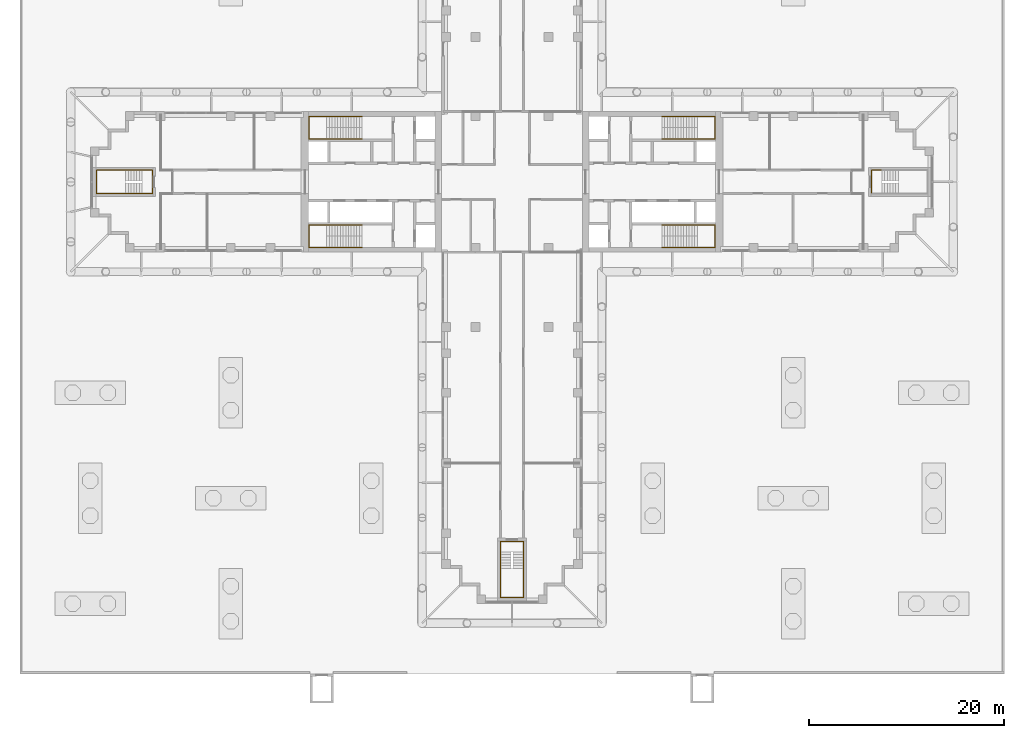
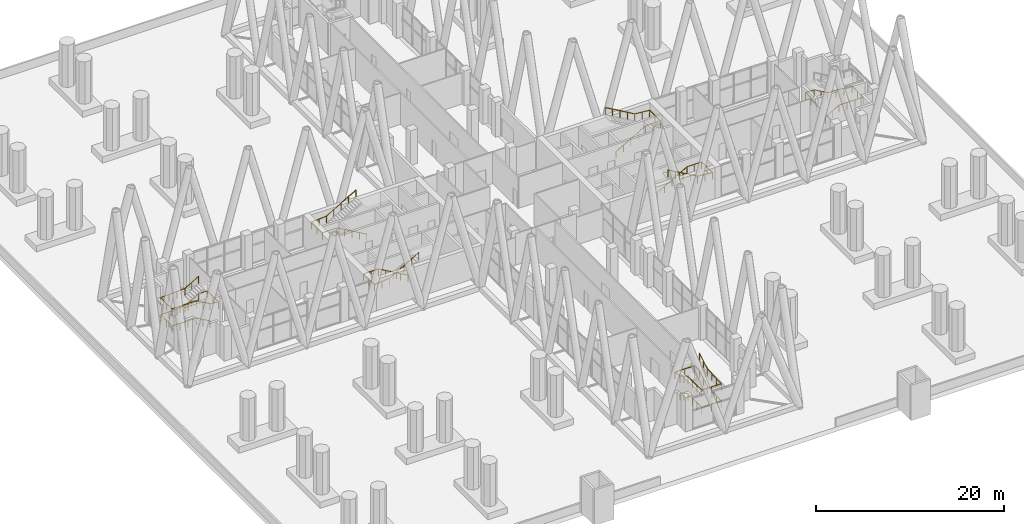
# One storey, part 28 of 31: 9 railings.
"""IFC4 building model written with IfcOpenShell, lengths in metres."""

from ifc_helpers import new_model, si_unit, direction, frame, origin, origin_2d, place, context, subcontext, project, spatial, circle, extrude, material, type_object, element, save


model = new_model("IFC4")

# Units and contexts
model_context = context("Model", 3, precision=1e-05, world=origin(), true_north=direction((0.0, 1.0)))
body_context = subcontext(model_context, "Body", "Model", "MODEL_VIEW")
ifc_project = project(units=[si_unit("LENGTHUNIT", "METRE"), si_unit("AREAUNIT", "SQUARE_METRE"), si_unit("VOLUMEUNIT", "CUBIC_METRE"), si_unit("PLANEANGLEUNIT", "RADIAN"), si_unit("MASSUNIT", "GRAM", prefix="KILO")], contexts=[model_context])

# Site, building, storey
site_placement = place(None, origin())
site = spatial("IfcSite", under=ifc_project, at=site_placement, CompositionType="ELEMENT")
building_placement = place(site_placement, origin())
building = spatial("IfcBuilding", under=site, at=building_placement, Name="Fustian Cross Tower", CompositionType="ELEMENT")
storey_placement = place(building_placement, frame((0.0, 0.0, 7.199951171875)))
storey = spatial("IfcBuildingStorey", under=building, at=storey_placement, Name="L01", CompositionType="ELEMENT", Elevation=7.199951171875)

# Railings
ifc_material = material(Name="Stainless steel", Category="steel")
railing_type = type_object("IfcRailingType", Name="STAIR HANDRAIL", PredefinedType="HANDRAIL", material=ifc_material)
railing_1_placement = place(storey_placement, frame((15.35009765625, 4.39990234375, 0.16064453125)))
element("IfcRailing", 1, at=railing_1_placement, inside=storey, type_object=railing_type, Name="Stair ST1 handrail 1", PredefinedType="HANDRAIL", context=body_context, shape_type="SweptSolid", body=[
    extrude(circle(Radius=0.02490234375, at=origin_2d()), frame((0.0, 0.0, 0.875), z_axis=(0.8672749571, 0.0, 0.497829437445), x_axis=(0.0, 1.0, 0.0)), (0.0, 0.0, 1.0), 4.197021484375),
    extrude(circle(Radius=0.02490234375, at=origin_2d()), frame((3.639892578125, 0.0, 2.96435546875), z_axis=(1.0, 0.0, 0.0), x_axis=(0.0, 1.0, 0.0)), (0.0, 0.0, 1.0), 1.820068359375),
    extrude(circle(Radius=0.02490234375, at=origin_2d()), frame((5.4599609375, 0.0, 2.96435546875), z_axis=(0.0, 1.0, 0.0), x_axis=(-1.0, 0.0, 0.0)), (0.0, 0.0, 1.0), 2.300048828125),
    extrude(circle(Radius=0.02490234375, at=origin_2d()), frame((5.4599609375, 2.300048828125, 2.96435546875), z_axis=(-0.996127441074, 0.0, 0.087921107475), x_axis=(0.0, -1.0, 0.0)), (0.0, 0.0, 1.0), 1.8271484375),
    extrude(circle(Radius=0.02490234375, at=origin_2d()), frame((3.639892578125, 2.300048828125, 3.125), z_axis=(-0.8672749571, 0.0, 0.497829437445), x_axis=(0.0, -1.0, 0.0)), (0.0, 0.0, 1.0), 4.197021484375),
    extrude(circle(Radius=0.02001953125, at=origin_2d()), origin(), (0.0, 0.0, 1.0), 0.849853515625),
    extrude(circle(Radius=0.02001953125, at=origin_2d()), frame((0.909912109375, 0.0, 0.5224609375)), (0.0, 0.0, 1.0), 0.849853515625),
    extrude(circle(Radius=0.02001953125, at=origin_2d()), frame((1.81982421875, 0.0, 1.044677734375)), (0.0, 0.0, 1.0), 0.849853515625),
    extrude(circle(Radius=0.02001953125, at=origin_2d()), frame((2.72998046875, 0.0, 1.56689453125)), (0.0, 0.0, 1.0), 0.849853515625),
    extrude(circle(Radius=0.02001953125, at=origin_2d()), frame((3.639892578125, 0.0, 2.08935546875)), (0.0, 0.0, 1.0), 0.849853515625),
    extrude(circle(Radius=0.02001953125, at=origin_2d()), frame((4.5498046875, 0.0, 2.08935546875)), (0.0, 0.0, 1.0), 0.849853515625),
    extrude(circle(Radius=0.02001953125, at=origin_2d()), frame((5.4599609375, 0.0, 2.08935546875)), (0.0, 0.0, 1.0), 0.849853515625),
    extrude(circle(Radius=0.02001953125, at=origin_2d()), frame((5.4599609375, 1.14990234375, 2.08935546875)), (0.0, 0.0, 1.0), 0.849853515625),
    extrude(circle(Radius=0.02001953125, at=origin_2d()), frame((5.4599609375, 2.300048828125, 2.08935546875)), (0.0, 0.0, 1.0), 0.849853515625),
    extrude(circle(Radius=0.02001953125, at=origin_2d()), frame((4.5498046875, 2.300048828125, 2.169677734375)), (0.0, 0.0, 1.0), 0.849853515625),
    extrude(circle(Radius=0.02001953125, at=origin_2d()), frame((3.639892578125, 2.300048828125, 2.25)), (0.0, 0.0, 1.0), 0.849853515625),
    extrude(circle(Radius=0.02001953125, at=origin_2d()), frame((2.72998046875, 2.300048828125, 2.7724609375)), (0.0, 0.0, 1.0), 0.849853515625),
    extrude(circle(Radius=0.02001953125, at=origin_2d()), frame((1.81982421875, 2.300048828125, 3.294677734375)), (0.0, 0.0, 1.0), 0.849853515625),
    extrude(circle(Radius=0.02001953125, at=origin_2d()), frame((0.909912109375, 2.300048828125, 3.81689453125)), (0.0, 0.0, 1.0), 0.849853515625),
    extrude(circle(Radius=0.02001953125, at=origin_2d()), frame((0.0, 2.300048828125, 4.33935546875)), (0.0, 0.0, 1.0), 0.849853515625),
])
railing_2_placement = place(storey_placement, frame((15.35009765625, -4.39990234375, 0.16064453125)))
element("IfcRailing", 2, at=railing_2_placement, inside=storey, type_object=railing_type, Name="Stair ST2 handrail 1", PredefinedType="HANDRAIL", context=body_context, shape_type="SweptSolid", body=[
    extrude(circle(Radius=0.02490234375, at=origin_2d()), frame((0.0, 0.0, 0.875), z_axis=(0.8672749571, 0.0, 0.497829437445), x_axis=(0.0, 1.0, 0.0)), (0.0, 0.0, 1.0), 4.197021484375),
    extrude(circle(Radius=0.02490234375, at=origin_2d()), frame((3.639892578125, 0.0, 2.96435546875), z_axis=(1.0, 0.0, 0.0), x_axis=(0.0, 1.0, 0.0)), (0.0, 0.0, 1.0), 1.820068359375),
    extrude(circle(Radius=0.02490234375, at=origin_2d()), frame((5.4599609375, 0.0, 2.96435546875), z_axis=(0.0, -1.0, 0.0), x_axis=(1.0, 0.0, 0.0)), (0.0, 0.0, 1.0), 2.300048828125),
    extrude(circle(Radius=0.02490234375, at=origin_2d()), frame((5.4599609375, -2.300048828125, 2.96435546875), z_axis=(-0.996127441074, 0.0, 0.087921107475), x_axis=(0.0, -1.0, 0.0)), (0.0, 0.0, 1.0), 1.8271484375),
    extrude(circle(Radius=0.02490234375, at=origin_2d()), frame((3.639892578125, -2.300048828125, 3.125), z_axis=(-0.8672749571, 0.0, 0.497829437445), x_axis=(0.0, -1.0, 0.0)), (0.0, 0.0, 1.0), 4.197021484375),
    extrude(circle(Radius=0.02001953125, at=origin_2d()), origin(), (0.0, 0.0, 1.0), 0.849853515625),
    extrude(circle(Radius=0.02001953125, at=origin_2d()), frame((0.909912109375, 0.0, 0.5224609375)), (0.0, 0.0, 1.0), 0.849853515625),
    extrude(circle(Radius=0.02001953125, at=origin_2d()), frame((1.81982421875, 0.0, 1.044677734375)), (0.0, 0.0, 1.0), 0.849853515625),
    extrude(circle(Radius=0.02001953125, at=origin_2d()), frame((2.72998046875, 0.0, 1.56689453125)), (0.0, 0.0, 1.0), 0.849853515625),
    extrude(circle(Radius=0.02001953125, at=origin_2d()), frame((3.639892578125, 0.0, 2.08935546875)), (0.0, 0.0, 1.0), 0.849853515625),
    extrude(circle(Radius=0.02001953125, at=origin_2d()), frame((4.5498046875, 0.0, 2.08935546875)), (0.0, 0.0, 1.0), 0.849853515625),
    extrude(circle(Radius=0.02001953125, at=origin_2d()), frame((5.4599609375, 0.0, 2.08935546875)), (0.0, 0.0, 1.0), 0.849853515625),
    extrude(circle(Radius=0.02001953125, at=origin_2d()), frame((5.4599609375, -1.14990234375, 2.08935546875)), (0.0, 0.0, 1.0), 0.849853515625),
    extrude(circle(Radius=0.02001953125, at=origin_2d()), frame((5.4599609375, -2.300048828125, 2.08935546875)), (0.0, 0.0, 1.0), 0.849853515625),
    extrude(circle(Radius=0.02001953125, at=origin_2d()), frame((4.5498046875, -2.300048828125, 2.169677734375)), (0.0, 0.0, 1.0), 0.849853515625),
    extrude(circle(Radius=0.02001953125, at=origin_2d()), frame((3.639892578125, -2.300048828125, 2.25)), (0.0, 0.0, 1.0), 0.849853515625),
    extrude(circle(Radius=0.02001953125, at=origin_2d()), frame((2.72998046875, -2.300048828125, 2.7724609375)), (0.0, 0.0, 1.0), 0.849853515625),
    extrude(circle(Radius=0.02001953125, at=origin_2d()), frame((1.81982421875, -2.300048828125, 3.294677734375)), (0.0, 0.0, 1.0), 0.849853515625),
    extrude(circle(Radius=0.02001953125, at=origin_2d()), frame((0.909912109375, -2.300048828125, 3.81689453125)), (0.0, 0.0, 1.0), 0.849853515625),
    extrude(circle(Radius=0.02001953125, at=origin_2d()), frame((0.0, -2.300048828125, 4.33935546875)), (0.0, 0.0, 1.0), 0.849853515625),
])
railing_3_placement = place(storey_placement, frame((-15.35009765625, 4.39990234375, 0.16064453125)))
element("IfcRailing", 3, at=railing_3_placement, inside=storey, type_object=railing_type, Name="Stair ST3 handrail 1", PredefinedType="HANDRAIL", context=body_context, shape_type="SweptSolid", body=[
    extrude(circle(Radius=0.02490234375, at=origin_2d()), frame((0.0, 0.0, 0.875), z_axis=(-0.8672749571, 0.0, 0.497829437445), x_axis=(0.0, -1.0, 0.0)), (0.0, 0.0, 1.0), 4.197021484375),
    extrude(circle(Radius=0.02490234375, at=origin_2d()), frame((-3.639892578125, 0.0, 2.96435546875), z_axis=(-1.0, 0.0, 0.0), x_axis=(0.0, -1.0, 0.0)), (0.0, 0.0, 1.0), 1.820068359375),
    extrude(circle(Radius=0.02490234375, at=origin_2d()), frame((-5.4599609375, 0.0, 2.96435546875), z_axis=(0.0, 1.0, 0.0), x_axis=(-1.0, 0.0, 0.0)), (0.0, 0.0, 1.0), 2.300048828125),
    extrude(circle(Radius=0.02490234375, at=origin_2d()), frame((-5.4599609375, 2.300048828125, 2.96435546875), z_axis=(0.996127441074, 0.0, 0.087921107475), x_axis=(0.0, 1.0, 0.0)), (0.0, 0.0, 1.0), 1.8271484375),
    extrude(circle(Radius=0.02490234375, at=origin_2d()), frame((-3.639892578125, 2.300048828125, 3.125), z_axis=(0.8672749571, 0.0, 0.497829437445), x_axis=(0.0, 1.0, 0.0)), (0.0, 0.0, 1.0), 4.197021484375),
    extrude(circle(Radius=0.02001953125, at=origin_2d()), origin(), (0.0, 0.0, 1.0), 0.849853515625),
    extrude(circle(Radius=0.02001953125, at=origin_2d()), frame((-0.909912109375, 0.0, 0.5224609375)), (0.0, 0.0, 1.0), 0.849853515625),
    extrude(circle(Radius=0.02001953125, at=origin_2d()), frame((-1.81982421875, 0.0, 1.044677734375)), (0.0, 0.0, 1.0), 0.849853515625),
    extrude(circle(Radius=0.02001953125, at=origin_2d()), frame((-2.72998046875, 0.0, 1.56689453125)), (0.0, 0.0, 1.0), 0.849853515625),
    extrude(circle(Radius=0.02001953125, at=origin_2d()), frame((-3.639892578125, 0.0, 2.08935546875)), (0.0, 0.0, 1.0), 0.849853515625),
    extrude(circle(Radius=0.02001953125, at=origin_2d()), frame((-4.5498046875, 0.0, 2.08935546875)), (0.0, 0.0, 1.0), 0.849853515625),
    extrude(circle(Radius=0.02001953125, at=origin_2d()), frame((-5.4599609375, 0.0, 2.08935546875)), (0.0, 0.0, 1.0), 0.849853515625),
    extrude(circle(Radius=0.02001953125, at=origin_2d()), frame((-5.4599609375, 1.14990234375, 2.08935546875)), (0.0, 0.0, 1.0), 0.849853515625),
    extrude(circle(Radius=0.02001953125, at=origin_2d()), frame((-5.4599609375, 2.300048828125, 2.08935546875)), (0.0, 0.0, 1.0), 0.849853515625),
    extrude(circle(Radius=0.02001953125, at=origin_2d()), frame((-4.5498046875, 2.300048828125, 2.169677734375)), (0.0, 0.0, 1.0), 0.849853515625),
    extrude(circle(Radius=0.02001953125, at=origin_2d()), frame((-3.639892578125, 2.300048828125, 2.25)), (0.0, 0.0, 1.0), 0.849853515625),
    extrude(circle(Radius=0.02001953125, at=origin_2d()), frame((-2.72998046875, 2.300048828125, 2.7724609375)), (0.0, 0.0, 1.0), 0.849853515625),
    extrude(circle(Radius=0.02001953125, at=origin_2d()), frame((-1.81982421875, 2.300048828125, 3.294677734375)), (0.0, 0.0, 1.0), 0.849853515625),
    extrude(circle(Radius=0.02001953125, at=origin_2d()), frame((-0.909912109375, 2.300048828125, 3.81689453125)), (0.0, 0.0, 1.0), 0.849853515625),
    extrude(circle(Radius=0.02001953125, at=origin_2d()), frame((0.0, 2.300048828125, 4.33935546875)), (0.0, 0.0, 1.0), 0.849853515625),
])
railing_4_placement = place(storey_placement, frame((-15.35009765625, -4.39990234375, 0.16064453125)))
element("IfcRailing", 4, at=railing_4_placement, inside=storey, type_object=railing_type, Name="Stair ST4 handrail 1", PredefinedType="HANDRAIL", context=body_context, shape_type="SweptSolid", body=[
    extrude(circle(Radius=0.02490234375, at=origin_2d()), frame((0.0, 0.0, 0.875), z_axis=(-0.8672749571, 0.0, 0.497829437445), x_axis=(0.0, -1.0, 0.0)), (0.0, 0.0, 1.0), 4.197021484375),
    extrude(circle(Radius=0.02490234375, at=origin_2d()), frame((-3.639892578125, 0.0, 2.96435546875), z_axis=(-1.0, 0.0, 0.0), x_axis=(0.0, -1.0, 0.0)), (0.0, 0.0, 1.0), 1.820068359375),
    extrude(circle(Radius=0.02490234375, at=origin_2d()), frame((-5.4599609375, 0.0, 2.96435546875), z_axis=(0.0, -1.0, 0.0), x_axis=(1.0, 0.0, 0.0)), (0.0, 0.0, 1.0), 2.300048828125),
    extrude(circle(Radius=0.02490234375, at=origin_2d()), frame((-5.4599609375, -2.300048828125, 2.96435546875), z_axis=(0.996127441074, 0.0, 0.087921107475), x_axis=(0.0, 1.0, 0.0)), (0.0, 0.0, 1.0), 1.8271484375),
    extrude(circle(Radius=0.02490234375, at=origin_2d()), frame((-3.639892578125, -2.300048828125, 3.125), z_axis=(0.8672749571, 0.0, 0.497829437445), x_axis=(0.0, 1.0, 0.0)), (0.0, 0.0, 1.0), 4.197021484375),
    extrude(circle(Radius=0.02001953125, at=origin_2d()), origin(), (0.0, 0.0, 1.0), 0.849853515625),
    extrude(circle(Radius=0.02001953125, at=origin_2d()), frame((-0.909912109375, 0.0, 0.5224609375)), (0.0, 0.0, 1.0), 0.849853515625),
    extrude(circle(Radius=0.02001953125, at=origin_2d()), frame((-1.81982421875, 0.0, 1.044677734375)), (0.0, 0.0, 1.0), 0.849853515625),
    extrude(circle(Radius=0.02001953125, at=origin_2d()), frame((-2.72998046875, 0.0, 1.56689453125)), (0.0, 0.0, 1.0), 0.849853515625),
    extrude(circle(Radius=0.02001953125, at=origin_2d()), frame((-3.639892578125, 0.0, 2.08935546875)), (0.0, 0.0, 1.0), 0.849853515625),
    extrude(circle(Radius=0.02001953125, at=origin_2d()), frame((-4.5498046875, 0.0, 2.08935546875)), (0.0, 0.0, 1.0), 0.849853515625),
    extrude(circle(Radius=0.02001953125, at=origin_2d()), frame((-5.4599609375, 0.0, 2.08935546875)), (0.0, 0.0, 1.0), 0.849853515625),
    extrude(circle(Radius=0.02001953125, at=origin_2d()), frame((-5.4599609375, -1.14990234375, 2.08935546875)), (0.0, 0.0, 1.0), 0.849853515625),
    extrude(circle(Radius=0.02001953125, at=origin_2d()), frame((-5.4599609375, -2.300048828125, 2.08935546875)), (0.0, 0.0, 1.0), 0.849853515625),
    extrude(circle(Radius=0.02001953125, at=origin_2d()), frame((-4.5498046875, -2.300048828125, 2.169677734375)), (0.0, 0.0, 1.0), 0.849853515625),
    extrude(circle(Radius=0.02001953125, at=origin_2d()), frame((-3.639892578125, -2.300048828125, 2.25)), (0.0, 0.0, 1.0), 0.849853515625),
    extrude(circle(Radius=0.02001953125, at=origin_2d()), frame((-2.72998046875, -2.300048828125, 2.7724609375)), (0.0, 0.0, 1.0), 0.849853515625),
    extrude(circle(Radius=0.02001953125, at=origin_2d()), frame((-1.81982421875, -2.300048828125, 3.294677734375)), (0.0, 0.0, 1.0), 0.849853515625),
    extrude(circle(Radius=0.02001953125, at=origin_2d()), frame((-0.909912109375, -2.300048828125, 3.81689453125)), (0.0, 0.0, 1.0), 0.849853515625),
    extrude(circle(Radius=0.02001953125, at=origin_2d()), frame((0.0, -2.300048828125, 4.33935546875)), (0.0, 0.0, 1.0), 0.849853515625),
])
railing_5_placement = place(storey_placement, frame((-1.199951171875, -37.89990234375, 0.16064453125)))
element("IfcRailing", 5, at=railing_5_placement, inside=storey, type_object=railing_type, Name="Stair ST6 handrail 1", PredefinedType="HANDRAIL", context=body_context, shape_type="SweptSolid", body=[
    extrude(circle(Radius=0.02490234375, at=origin_2d()), frame((0.0, 0.0, 0.875), z_axis=(0.0, -0.867295415836, 0.497793794326), x_axis=(1.0, 0.0, 0.0)), (0.0, 0.0, 1.0), 1.937255859375),
    extrude(circle(Radius=0.02490234375, at=origin_2d()), frame((0.0, -1.68017578125, 1.83935546875), z_axis=(0.0, -1.0, 0.0), x_axis=(1.0, 0.0, 0.0)), (0.0, 0.0, 1.0), 2.97998046875),
    extrude(circle(Radius=0.02490234375, at=origin_2d()), frame((0.0, -4.66015625, 1.83935546875), z_axis=(1.0, 0.0, 0.0), x_axis=(0.0, 1.0, 0.0)), (0.0, 0.0, 1.0), 2.39990234375),
    extrude(circle(Radius=0.02490234375, at=origin_2d()), frame((2.39990234375, -4.66015625, 1.83935546875), z_axis=(0.0, 0.998550127698, 0.053829754549), x_axis=(-1.0, 0.0, 0.0)), (0.0, 0.0, 1.0), 2.984375),
    extrude(circle(Radius=0.02490234375, at=origin_2d()), frame((2.39990234375, -1.68017578125, 2.0), z_axis=(0.0, 0.867295415836, 0.497793794326), x_axis=(-1.0, 0.0, 0.0)), (0.0, 0.0, 1.0), 1.937255859375),
    extrude(circle(Radius=0.02490234375, at=origin_2d()), frame((2.39990234375, 0.0, 2.96435546875), z_axis=(0.0, 1.0, 0.0), x_axis=(-1.0, 0.0, 0.0)), (0.0, 0.0, 1.0), 1.059814453125),
    extrude(circle(Radius=0.02490234375, at=origin_2d()), frame((2.39990234375, 1.059814453125, 2.96435546875), z_axis=(-1.0, 0.0, 0.0), x_axis=(0.0, -1.0, 0.0)), (0.0, 0.0, 1.0), 2.39990234375),
    extrude(circle(Radius=0.02001953125, at=origin_2d()), origin(), (0.0, 0.0, 1.0), 0.849853515625),
    extrude(circle(Radius=0.02001953125, at=origin_2d()), frame((0.0, -0.840087890625, 0.482177734375)), (0.0, 0.0, 1.0), 0.849853515625),
    extrude(circle(Radius=0.02001953125, at=origin_2d()), frame((0.0, -1.68017578125, 0.96435546875)), (0.0, 0.0, 1.0), 0.849853515625),
    extrude(circle(Radius=0.02001953125, at=origin_2d()), frame((0.0, -2.673583984375, 0.96435546875)), (0.0, 0.0, 1.0), 0.849853515625),
    extrude(circle(Radius=0.02001953125, at=origin_2d()), frame((0.0, -3.666748046875, 0.96435546875)), (0.0, 0.0, 1.0), 0.849853515625),
    extrude(circle(Radius=0.02001953125, at=origin_2d()), frame((0.0, -4.66015625, 0.96435546875)), (0.0, 0.0, 1.0), 0.849853515625),
    extrude(circle(Radius=0.02001953125, at=origin_2d()), frame((1.199951171875, -4.66015625, 0.96435546875)), (0.0, 0.0, 1.0), 0.849853515625),
    extrude(circle(Radius=0.02001953125, at=origin_2d()), frame((2.39990234375, -4.66015625, 0.96435546875)), (0.0, 0.0, 1.0), 0.849853515625),
    extrude(circle(Radius=0.02001953125, at=origin_2d()), frame((2.39990234375, -3.666748046875, 1.017822265625)), (0.0, 0.0, 1.0), 0.849853515625),
    extrude(circle(Radius=0.02001953125, at=origin_2d()), frame((2.39990234375, -2.673583984375, 1.071533203125)), (0.0, 0.0, 1.0), 0.849853515625),
    extrude(circle(Radius=0.02001953125, at=origin_2d()), frame((2.39990234375, -1.68017578125, 1.125)), (0.0, 0.0, 1.0), 0.849853515625),
    extrude(circle(Radius=0.02001953125, at=origin_2d()), frame((2.39990234375, -0.840087890625, 1.607177734375)), (0.0, 0.0, 1.0), 0.849853515625),
    extrude(circle(Radius=0.02001953125, at=origin_2d()), frame((2.39990234375, 0.0, 2.08935546875)), (0.0, 0.0, 1.0), 0.849853515625),
    extrude(circle(Radius=0.02001953125, at=origin_2d()), frame((2.39990234375, 1.059814453125, 2.08935546875)), (0.0, 0.0, 1.0), 0.849853515625),
    extrude(circle(Radius=0.02001953125, at=origin_2d()), frame((1.199951171875, 1.059814453125, 2.08935546875)), (0.0, 0.0, 1.0), 0.849853515625),
    extrude(circle(Radius=0.02001953125, at=origin_2d()), frame((0.0, 1.059814453125, 2.08935546875)), (0.0, 0.0, 1.0), 0.849853515625),
])
railing_6_placement = place(storey_placement, frame((-1.199951171875, -36.840087890625, 2.25)))
element("IfcRailing", 6, at=railing_6_placement, inside=storey, type_object=railing_type, Name="Stair ST6 handrail 2", PredefinedType="HANDRAIL", context=body_context, shape_type="SweptSolid", body=[
    extrude(circle(Radius=0.02490234375, at=origin_2d()), frame((0.0, 0.0, 0.875), z_axis=(0.0, -0.988706302, 0.149866101524), x_axis=(1.0, 0.0, 0.0)), (0.0, 0.0, 1.0), 1.072021484375),
    extrude(circle(Radius=0.02490234375, at=origin_2d()), frame((0.0, -1.059814453125, 1.03564453125), z_axis=(0.0, -0.867295415836, 0.497793794326), x_axis=(1.0, 0.0, 0.0)), (0.0, 0.0, 1.0), 1.937255859375),
    extrude(circle(Radius=0.02490234375, at=origin_2d()), frame((0.0, -2.739990234375, 2.0), z_axis=(0.0, -1.0, 0.0), x_axis=(1.0, 0.0, 0.0)), (0.0, 0.0, 1.0), 2.97998046875),
    extrude(circle(Radius=0.02490234375, at=origin_2d()), frame((0.0, -5.719970703125, 2.0), z_axis=(1.0, 0.0, 0.0), x_axis=(0.0, 1.0, 0.0)), (0.0, 0.0, 1.0), 2.39990234375),
    extrude(circle(Radius=0.02490234375, at=origin_2d()), frame((2.39990234375, -5.719970703125, 2.0), z_axis=(0.0, 0.998550127698, 0.053829754549), x_axis=(-1.0, 0.0, 0.0)), (0.0, 0.0, 1.0), 2.984375),
    extrude(circle(Radius=0.02490234375, at=origin_2d()), frame((2.39990234375, -2.739990234375, 2.16064453125), z_axis=(0.0, 0.867295415836, 0.497793794326), x_axis=(-1.0, 0.0, 0.0)), (0.0, 0.0, 1.0), 1.937255859375),
    extrude(circle(Radius=0.02001953125, at=origin_2d()), origin(), (0.0, 0.0, 1.0), 0.849853515625),
    extrude(circle(Radius=0.02001953125, at=origin_2d()), frame((0.0, -1.059814453125, 0.16064453125)), (0.0, 0.0, 1.0), 0.849853515625),
    extrude(circle(Radius=0.02001953125, at=origin_2d()), frame((0.0, -1.89990234375, 0.642822265625)), (0.0, 0.0, 1.0), 0.849853515625),
    extrude(circle(Radius=0.02001953125, at=origin_2d()), frame((0.0, -2.739990234375, 1.125)), (0.0, 0.0, 1.0), 0.849853515625),
    extrude(circle(Radius=0.02001953125, at=origin_2d()), frame((0.0, -3.7333984375, 1.125)), (0.0, 0.0, 1.0), 0.849853515625),
    extrude(circle(Radius=0.02001953125, at=origin_2d()), frame((0.0, -4.7265625, 1.125)), (0.0, 0.0, 1.0), 0.849853515625),
    extrude(circle(Radius=0.02001953125, at=origin_2d()), frame((0.0, -5.719970703125, 1.125)), (0.0, 0.0, 1.0), 0.849853515625),
    extrude(circle(Radius=0.02001953125, at=origin_2d()), frame((1.199951171875, -5.719970703125, 1.125)), (0.0, 0.0, 1.0), 0.849853515625),
    extrude(circle(Radius=0.02001953125, at=origin_2d()), frame((2.39990234375, -5.719970703125, 1.125)), (0.0, 0.0, 1.0), 0.849853515625),
    extrude(circle(Radius=0.02001953125, at=origin_2d()), frame((2.39990234375, -4.7265625, 1.178466796875)), (0.0, 0.0, 1.0), 0.849853515625),
    extrude(circle(Radius=0.02001953125, at=origin_2d()), frame((2.39990234375, -3.7333984375, 1.232177734375)), (0.0, 0.0, 1.0), 0.849853515625),
    extrude(circle(Radius=0.02001953125, at=origin_2d()), frame((2.39990234375, -2.739990234375, 1.28564453125)), (0.0, 0.0, 1.0), 0.849853515625),
    extrude(circle(Radius=0.02001953125, at=origin_2d()), frame((2.39990234375, -1.89990234375, 1.767822265625)), (0.0, 0.0, 1.0), 0.849853515625),
    extrude(circle(Radius=0.02001953125, at=origin_2d()), frame((2.39990234375, -1.059814453125, 2.25)), (0.0, 0.0, 1.0), 0.849853515625),
])
railing_7_placement = place(storey_placement, frame((37.89990234375, -1.199951171875, 0.16064453125)))
element("IfcRailing", 7, at=railing_7_placement, inside=storey, type_object=railing_type, Name="Stair ST8 handrail 1", PredefinedType="HANDRAIL", context=body_context, shape_type="SweptSolid", body=[
    extrude(circle(Radius=0.02490234375, at=origin_2d()), frame((0.0, 0.0, 0.875), z_axis=(0.867295415836, 0.0, 0.497793794326), x_axis=(0.0, 1.0, 0.0)), (0.0, 0.0, 1.0), 1.937255859375),
    extrude(circle(Radius=0.02490234375, at=origin_2d()), frame((1.68017578125, 0.0, 1.83935546875), z_axis=(1.0, 0.0, 0.0), x_axis=(0.0, 1.0, 0.0)), (0.0, 0.0, 1.0), 2.97998046875),
    extrude(circle(Radius=0.02490234375, at=origin_2d()), frame((4.66015625, 0.0, 1.83935546875), z_axis=(0.0, 1.0, 0.0), x_axis=(-1.0, 0.0, 0.0)), (0.0, 0.0, 1.0), 2.39990234375),
    extrude(circle(Radius=0.02490234375, at=origin_2d()), frame((4.66015625, 2.39990234375, 1.83935546875), z_axis=(-0.998550127698, 0.0, 0.053829754549), x_axis=(0.0, -1.0, 0.0)), (0.0, 0.0, 1.0), 2.984375),
    extrude(circle(Radius=0.02490234375, at=origin_2d()), frame((1.68017578125, 2.39990234375, 2.0), z_axis=(-0.867295415836, 0.0, 0.497793794326), x_axis=(0.0, -1.0, 0.0)), (0.0, 0.0, 1.0), 1.937255859375),
    extrude(circle(Radius=0.02490234375, at=origin_2d()), frame((0.0, 2.39990234375, 2.96435546875), z_axis=(-1.0, 0.0, 0.0), x_axis=(0.0, -1.0, 0.0)), (0.0, 0.0, 1.0), 1.059814453125),
    extrude(circle(Radius=0.02490234375, at=origin_2d()), frame((-1.059814453125, 2.39990234375, 2.96435546875), z_axis=(0.0, -1.0, 0.0), x_axis=(1.0, 0.0, 0.0)), (0.0, 0.0, 1.0), 2.39990234375),
    extrude(circle(Radius=0.02001953125, at=origin_2d()), origin(), (0.0, 0.0, 1.0), 0.849853515625),
    extrude(circle(Radius=0.02001953125, at=origin_2d()), frame((0.840087890625, 0.0, 0.482177734375)), (0.0, 0.0, 1.0), 0.849853515625),
    extrude(circle(Radius=0.02001953125, at=origin_2d()), frame((1.68017578125, 0.0, 0.96435546875)), (0.0, 0.0, 1.0), 0.849853515625),
    extrude(circle(Radius=0.02001953125, at=origin_2d()), frame((2.673583984375, 0.0, 0.96435546875)), (0.0, 0.0, 1.0), 0.849853515625),
    extrude(circle(Radius=0.02001953125, at=origin_2d()), frame((3.666748046875, 0.0, 0.96435546875)), (0.0, 0.0, 1.0), 0.849853515625),
    extrude(circle(Radius=0.02001953125, at=origin_2d()), frame((4.66015625, 0.0, 0.96435546875)), (0.0, 0.0, 1.0), 0.849853515625),
    extrude(circle(Radius=0.02001953125, at=origin_2d()), frame((4.66015625, 1.199951171875, 0.96435546875)), (0.0, 0.0, 1.0), 0.849853515625),
    extrude(circle(Radius=0.02001953125, at=origin_2d()), frame((4.66015625, 2.39990234375, 0.96435546875)), (0.0, 0.0, 1.0), 0.849853515625),
    extrude(circle(Radius=0.02001953125, at=origin_2d()), frame((3.666748046875, 2.39990234375, 1.017822265625)), (0.0, 0.0, 1.0), 0.849853515625),
    extrude(circle(Radius=0.02001953125, at=origin_2d()), frame((2.673583984375, 2.39990234375, 1.071533203125)), (0.0, 0.0, 1.0), 0.849853515625),
    extrude(circle(Radius=0.02001953125, at=origin_2d()), frame((1.68017578125, 2.39990234375, 1.125)), (0.0, 0.0, 1.0), 0.849853515625),
    extrude(circle(Radius=0.02001953125, at=origin_2d()), frame((0.840087890625, 2.39990234375, 1.607177734375)), (0.0, 0.0, 1.0), 0.849853515625),
    extrude(circle(Radius=0.02001953125, at=origin_2d()), frame((0.0, 2.39990234375, 2.08935546875)), (0.0, 0.0, 1.0), 0.849853515625),
    extrude(circle(Radius=0.02001953125, at=origin_2d()), frame((-1.059814453125, 2.39990234375, 2.08935546875)), (0.0, 0.0, 1.0), 0.849853515625),
    extrude(circle(Radius=0.02001953125, at=origin_2d()), frame((-1.059814453125, 1.199951171875, 2.08935546875)), (0.0, 0.0, 1.0), 0.849853515625),
    extrude(circle(Radius=0.02001953125, at=origin_2d()), frame((-1.059814453125, 0.0, 2.08935546875)), (0.0, 0.0, 1.0), 0.849853515625),
])
railing_8_placement = place(storey_placement, frame((-37.89990234375, -1.199951171875, 0.16064453125)))
element("IfcRailing", 8, at=railing_8_placement, inside=storey, type_object=railing_type, Name="Stair ST9 handrail 1", PredefinedType="HANDRAIL", context=body_context, shape_type="SweptSolid", body=[
    extrude(circle(Radius=0.02490234375, at=origin_2d()), frame((0.0, 0.0, 0.875), z_axis=(-0.867295415836, 0.0, 0.497793794326), x_axis=(0.0, -1.0, 0.0)), (0.0, 0.0, 1.0), 1.937255859375),
    extrude(circle(Radius=0.02490234375, at=origin_2d()), frame((-1.68017578125, 0.0, 1.83935546875), z_axis=(-1.0, 0.0, 0.0), x_axis=(0.0, -1.0, 0.0)), (0.0, 0.0, 1.0), 2.97998046875),
    extrude(circle(Radius=0.02490234375, at=origin_2d()), frame((-4.66015625, 0.0, 1.83935546875), z_axis=(0.0, 1.0, 0.0), x_axis=(-1.0, 0.0, 0.0)), (0.0, 0.0, 1.0), 2.39990234375),
    extrude(circle(Radius=0.02490234375, at=origin_2d()), frame((-4.66015625, 2.39990234375, 1.83935546875), z_axis=(0.998550127698, 0.0, 0.053829754549), x_axis=(0.0, 1.0, 0.0)), (0.0, 0.0, 1.0), 2.984375),
    extrude(circle(Radius=0.02490234375, at=origin_2d()), frame((-1.68017578125, 2.39990234375, 2.0), z_axis=(0.867295415836, 0.0, 0.497793794326), x_axis=(0.0, 1.0, 0.0)), (0.0, 0.0, 1.0), 1.937255859375),
    extrude(circle(Radius=0.02490234375, at=origin_2d()), frame((0.0, 2.39990234375, 2.96435546875), z_axis=(1.0, 0.0, 0.0), x_axis=(0.0, 1.0, 0.0)), (0.0, 0.0, 1.0), 1.059814453125),
    extrude(circle(Radius=0.02490234375, at=origin_2d()), frame((1.059814453125, 2.39990234375, 2.96435546875), z_axis=(0.0, -1.0, 0.0), x_axis=(1.0, 0.0, 0.0)), (0.0, 0.0, 1.0), 2.39990234375),
    extrude(circle(Radius=0.02001953125, at=origin_2d()), origin(), (0.0, 0.0, 1.0), 0.849853515625),
    extrude(circle(Radius=0.02001953125, at=origin_2d()), frame((-0.840087890625, 0.0, 0.482177734375)), (0.0, 0.0, 1.0), 0.849853515625),
    extrude(circle(Radius=0.02001953125, at=origin_2d()), frame((-1.68017578125, 0.0, 0.96435546875)), (0.0, 0.0, 1.0), 0.849853515625),
    extrude(circle(Radius=0.02001953125, at=origin_2d()), frame((-2.673583984375, 0.0, 0.96435546875)), (0.0, 0.0, 1.0), 0.849853515625),
    extrude(circle(Radius=0.02001953125, at=origin_2d()), frame((-3.666748046875, 0.0, 0.96435546875)), (0.0, 0.0, 1.0), 0.849853515625),
    extrude(circle(Radius=0.02001953125, at=origin_2d()), frame((-4.66015625, 0.0, 0.96435546875)), (0.0, 0.0, 1.0), 0.849853515625),
    extrude(circle(Radius=0.02001953125, at=origin_2d()), frame((-4.66015625, 1.199951171875, 0.96435546875)), (0.0, 0.0, 1.0), 0.849853515625),
    extrude(circle(Radius=0.02001953125, at=origin_2d()), frame((-4.66015625, 2.39990234375, 0.96435546875)), (0.0, 0.0, 1.0), 0.849853515625),
    extrude(circle(Radius=0.02001953125, at=origin_2d()), frame((-3.666748046875, 2.39990234375, 1.017822265625)), (0.0, 0.0, 1.0), 0.849853515625),
    extrude(circle(Radius=0.02001953125, at=origin_2d()), frame((-2.673583984375, 2.39990234375, 1.071533203125)), (0.0, 0.0, 1.0), 0.849853515625),
    extrude(circle(Radius=0.02001953125, at=origin_2d()), frame((-1.68017578125, 2.39990234375, 1.125)), (0.0, 0.0, 1.0), 0.849853515625),
    extrude(circle(Radius=0.02001953125, at=origin_2d()), frame((-0.840087890625, 2.39990234375, 1.607177734375)), (0.0, 0.0, 1.0), 0.849853515625),
    extrude(circle(Radius=0.02001953125, at=origin_2d()), frame((0.0, 2.39990234375, 2.08935546875)), (0.0, 0.0, 1.0), 0.849853515625),
    extrude(circle(Radius=0.02001953125, at=origin_2d()), frame((1.059814453125, 2.39990234375, 2.08935546875)), (0.0, 0.0, 1.0), 0.849853515625),
    extrude(circle(Radius=0.02001953125, at=origin_2d()), frame((1.059814453125, 1.199951171875, 2.08935546875)), (0.0, 0.0, 1.0), 0.849853515625),
    extrude(circle(Radius=0.02001953125, at=origin_2d()), frame((1.059814453125, 0.0, 2.08935546875)), (0.0, 0.0, 1.0), 0.849853515625),
])
railing_9_placement = place(storey_placement, frame((-36.840087890625, -1.199951171875, 2.25)))
element("IfcRailing", 9, at=railing_9_placement, inside=storey, type_object=railing_type, Name="Stair ST9 handrail 2", PredefinedType="HANDRAIL", context=body_context, shape_type="SweptSolid", body=[
    extrude(circle(Radius=0.02490234375, at=origin_2d()), frame((0.0, 0.0, 0.875), z_axis=(-0.988706302, 0.0, 0.149866101524), x_axis=(0.0, -1.0, 0.0)), (0.0, 0.0, 1.0), 1.072021484375),
    extrude(circle(Radius=0.02490234375, at=origin_2d()), frame((-1.059814453125, 0.0, 1.03564453125), z_axis=(-0.867295415836, 0.0, 0.497793794326), x_axis=(0.0, -1.0, 0.0)), (0.0, 0.0, 1.0), 1.937255859375),
    extrude(circle(Radius=0.02490234375, at=origin_2d()), frame((-2.739990234375, 0.0, 2.0), z_axis=(-1.0, 0.0, 0.0), x_axis=(0.0, -1.0, 0.0)), (0.0, 0.0, 1.0), 2.97998046875),
    extrude(circle(Radius=0.02490234375, at=origin_2d()), frame((-5.719970703125, 0.0, 2.0), z_axis=(0.0, 1.0, 0.0), x_axis=(-1.0, 0.0, 0.0)), (0.0, 0.0, 1.0), 2.39990234375),
    extrude(circle(Radius=0.02490234375, at=origin_2d()), frame((-5.719970703125, 2.39990234375, 2.0), z_axis=(0.998550127698, 0.0, 0.053829754549), x_axis=(0.0, 1.0, 0.0)), (0.0, 0.0, 1.0), 2.984375),
    extrude(circle(Radius=0.02490234375, at=origin_2d()), frame((-2.739990234375, 2.39990234375, 2.16064453125), z_axis=(0.867295415836, 0.0, 0.497793794326), x_axis=(0.0, 1.0, 0.0)), (0.0, 0.0, 1.0), 1.937255859375),
    extrude(circle(Radius=0.02001953125, at=origin_2d()), origin(), (0.0, 0.0, 1.0), 0.849853515625),
    extrude(circle(Radius=0.02001953125, at=origin_2d()), frame((-1.059814453125, 0.0, 0.16064453125)), (0.0, 0.0, 1.0), 0.849853515625),
    extrude(circle(Radius=0.02001953125, at=origin_2d()), frame((-1.89990234375, 0.0, 0.642822265625)), (0.0, 0.0, 1.0), 0.849853515625),
    extrude(circle(Radius=0.02001953125, at=origin_2d()), frame((-2.739990234375, 0.0, 1.125)), (0.0, 0.0, 1.0), 0.849853515625),
    extrude(circle(Radius=0.02001953125, at=origin_2d()), frame((-3.7333984375, 0.0, 1.125)), (0.0, 0.0, 1.0), 0.849853515625),
    extrude(circle(Radius=0.02001953125, at=origin_2d()), frame((-4.7265625, 0.0, 1.125)), (0.0, 0.0, 1.0), 0.849853515625),
    extrude(circle(Radius=0.02001953125, at=origin_2d()), frame((-5.719970703125, 0.0, 1.125)), (0.0, 0.0, 1.0), 0.849853515625),
    extrude(circle(Radius=0.02001953125, at=origin_2d()), frame((-5.719970703125, 1.199951171875, 1.125)), (0.0, 0.0, 1.0), 0.849853515625),
    extrude(circle(Radius=0.02001953125, at=origin_2d()), frame((-5.719970703125, 2.39990234375, 1.125)), (0.0, 0.0, 1.0), 0.849853515625),
    extrude(circle(Radius=0.02001953125, at=origin_2d()), frame((-4.7265625, 2.39990234375, 1.178466796875)), (0.0, 0.0, 1.0), 0.849853515625),
    extrude(circle(Radius=0.02001953125, at=origin_2d()), frame((-3.7333984375, 2.39990234375, 1.232177734375)), (0.0, 0.0, 1.0), 0.849853515625),
    extrude(circle(Radius=0.02001953125, at=origin_2d()), frame((-2.739990234375, 2.39990234375, 1.28564453125)), (0.0, 0.0, 1.0), 0.849853515625),
    extrude(circle(Radius=0.02001953125, at=origin_2d()), frame((-1.89990234375, 2.39990234375, 1.767822265625)), (0.0, 0.0, 1.0), 0.849853515625),
    extrude(circle(Radius=0.02001953125, at=origin_2d()), frame((-1.059814453125, 2.39990234375, 2.25)), (0.0, 0.0, 1.0), 0.849853515625),
])

save(model, "model.ifc")
